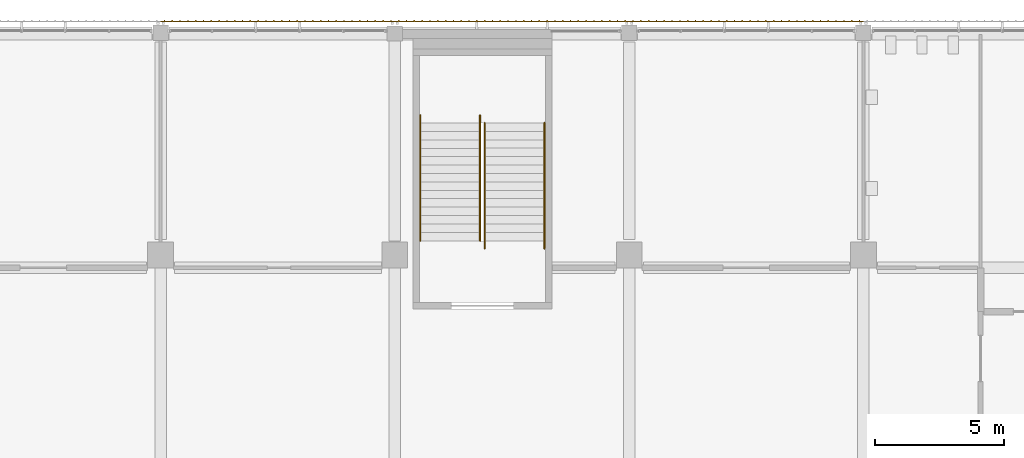
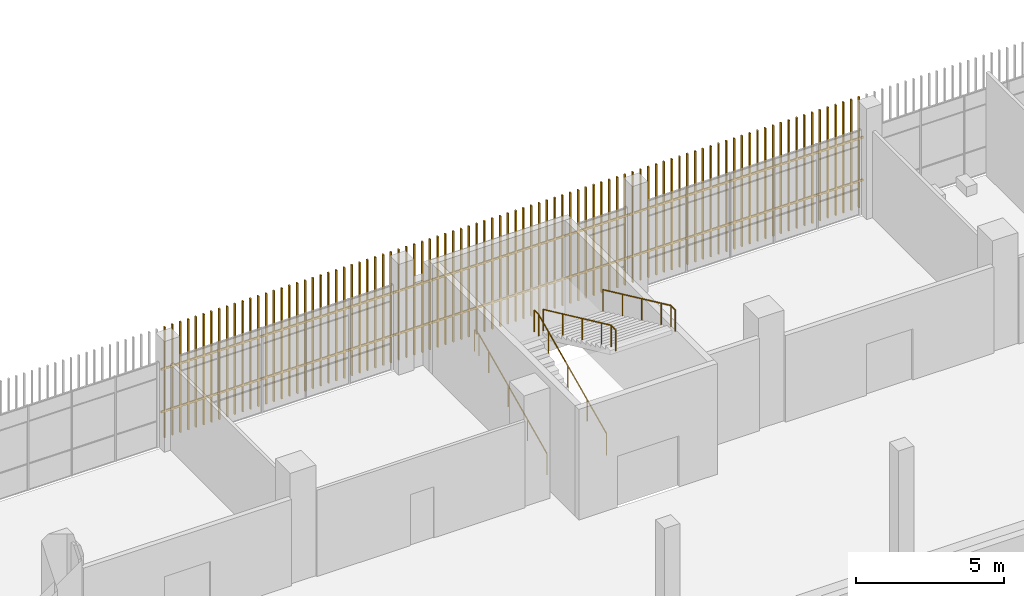
# One storey, part 118 of 126: 4 railings, 3 shading devices.
"""IFC4 building model written with IfcOpenShell, lengths in metres."""

from ifc_helpers import new_model, si_unit, direction, frame, origin, origin_2d, place, context, subcontext, project, spatial, rectangle, circle, extrude, material, type_object, element, save


model = new_model("IFC4")

# Units and contexts
model_context = context("Model", 3, precision=1e-05, world=origin(), true_north=direction((0.0, 1.0)))
body_context = subcontext(model_context, "Body", "Model", "MODEL_VIEW")
ifc_project = project(units=[si_unit("LENGTHUNIT", "METRE"), si_unit("AREAUNIT", "SQUARE_METRE"), si_unit("VOLUMEUNIT", "CUBIC_METRE"), si_unit("PLANEANGLEUNIT", "RADIAN"), si_unit("MASSUNIT", "GRAM", prefix="KILO")], contexts=[model_context])

# Site, building, storey
site_placement = place(None, origin())
site = spatial("IfcSite", under=ifc_project, at=site_placement, CompositionType="ELEMENT")
building_placement = place(site_placement, origin())
building = spatial("IfcBuilding", under=site, at=building_placement, Name="Shirokan Park Arena", CompositionType="ELEMENT")
storey_placement = place(building_placement, frame((0.0, 0.0, 6.3701171875)))
storey = spatial("IfcBuildingStorey", under=building, at=storey_placement, Name="L01", CompositionType="ELEMENT", Elevation=6.3701171875)

# Railings
ifc_material_1 = material(Name="Stainless steel", Category="steel")
railing_type = type_object("IfcRailingType", Name="Stair handrail 900", PredefinedType="HANDRAIL", material=ifc_material_1)
railing_1_placement = place(storey_placement, frame((82.889892578125, 101.14990234375, 0.151611328125)))
element("IfcRailing", 1, at=railing_1_placement, inside=storey, type_object=railing_type, Name="Handrail Entrance Stair E4.2 L01 to L02", PredefinedType="HANDRAIL", context=body_context, shape_type="SweptSolid", body=[
    extrude(circle(Radius=0.02392578125, at=origin_2d()), frame((0.0, 0.0, 0.8759765625), z_axis=(0.0, 0.907029769225, 0.421066500378), x_axis=(-1.0, 0.0, 0.0)), (0.0, 0.0, 1.0), 1.44091796875),
    extrude(circle(Radius=0.02392578125, at=origin_2d()), frame((0.0, 1.306884765625, 1.482421875), z_axis=(0.0, 0.907029769225, 0.421066500378), x_axis=(-1.0, 0.0, 0.0)), (0.0, 0.0, 1.0), 1.44091796875),
    extrude(circle(Radius=0.02392578125, at=origin_2d()), frame((0.0, 2.61376953125, 2.08935546875), z_axis=(0.0, 0.907064445915, 0.420991794405), x_axis=(-1.0, 0.0, 0.0)), (0.0, 0.0, 1.0), 1.4404296875),
    extrude(circle(Radius=0.02392578125, at=origin_2d()), frame((0.0, 3.92041015625, 2.69580078125), z_axis=(0.0, 0.906995101989, 0.421141169881), x_axis=(-1.0, 0.0, 0.0)), (0.0, 0.0, 1.0), 0.720703125),
    extrude(circle(Radius=0.02392578125, at=origin_2d()), frame((0.0, 4.573974609375, 2.9990234375), z_axis=(0.0, 1.0, 0.0), x_axis=(-1.0, 0.0, 0.0)), (0.0, 0.0, 1.0), 0.2998046875),
    extrude(circle(Radius=0.02099609375, at=origin_2d()), origin(), (0.0, 0.0, 1.0), 0.851806640625),
    extrude(circle(Radius=0.02099609375, at=origin_2d()), frame((0.0, 1.306884765625, 0.606689453125)), (0.0, 0.0, 1.0), 0.851806640625),
    extrude(circle(Radius=0.02099609375, at=origin_2d()), frame((0.0, 2.61376953125, 1.21337890625)), (0.0, 0.0, 1.0), 0.851806640625),
    extrude(circle(Radius=0.02099609375, at=origin_2d()), frame((0.0, 3.92041015625, 1.81982421875)), (0.0, 0.0, 1.0), 0.851806640625),
    extrude(circle(Radius=0.02099609375, at=origin_2d()), frame((0.0, 4.573974609375, 2.123291015625)), (0.0, 0.0, 1.0), 0.851806640625),
    extrude(circle(Radius=0.02099609375, at=origin_2d()), frame((0.0, 4.873779296875, 2.123291015625)), (0.0, 0.0, 1.0), 0.851806640625),
])
railing_2_placement = place(storey_placement, frame((85.2099609375, 101.14990234375, 0.151611328125)))
element("IfcRailing", 2, at=railing_2_placement, inside=storey, type_object=railing_type, Name="Handrail Entrance Stair E4.2 L01 to L02", PredefinedType="HANDRAIL", context=body_context, shape_type="SweptSolid", body=[
    extrude(circle(Radius=0.02392578125, at=origin_2d()), frame((0.0, 0.0, 0.8759765625), z_axis=(0.0, 0.907029769225, 0.421066500378), x_axis=(-1.0, 0.0, 0.0)), (0.0, 0.0, 1.0), 1.44091796875),
    extrude(circle(Radius=0.02392578125, at=origin_2d()), frame((0.0, 1.306884765625, 1.482421875), z_axis=(0.0, 0.907029769225, 0.421066500378), x_axis=(-1.0, 0.0, 0.0)), (0.0, 0.0, 1.0), 1.44091796875),
    extrude(circle(Radius=0.02392578125, at=origin_2d()), frame((0.0, 2.61376953125, 2.08935546875), z_axis=(0.0, 0.907064445915, 0.420991794405), x_axis=(-1.0, 0.0, 0.0)), (0.0, 0.0, 1.0), 1.4404296875),
    extrude(circle(Radius=0.02392578125, at=origin_2d()), frame((0.0, 3.92041015625, 2.69580078125), z_axis=(0.0, 0.906995101989, 0.421141169881), x_axis=(-1.0, 0.0, 0.0)), (0.0, 0.0, 1.0), 0.720703125),
    extrude(circle(Radius=0.02392578125, at=origin_2d()), frame((0.0, 4.573974609375, 2.9990234375), z_axis=(0.0, 1.0, 0.0), x_axis=(-1.0, 0.0, 0.0)), (0.0, 0.0, 1.0), 0.2998046875),
    extrude(circle(Radius=0.02099609375, at=origin_2d()), origin(), (0.0, 0.0, 1.0), 0.851806640625),
    extrude(circle(Radius=0.02099609375, at=origin_2d()), frame((0.0, 1.306884765625, 0.606689453125)), (0.0, 0.0, 1.0), 0.851806640625),
    extrude(circle(Radius=0.02099609375, at=origin_2d()), frame((0.0, 2.61376953125, 1.21337890625)), (0.0, 0.0, 1.0), 0.851806640625),
    extrude(circle(Radius=0.02099609375, at=origin_2d()), frame((0.0, 3.92041015625, 1.81982421875)), (0.0, 0.0, 1.0), 0.851806640625),
    extrude(circle(Radius=0.02099609375, at=origin_2d()), frame((0.0, 4.573974609375, 2.123291015625)), (0.0, 0.0, 1.0), 0.851806640625),
    extrude(circle(Radius=0.02099609375, at=origin_2d()), frame((0.0, 4.873779296875, 2.123291015625)), (0.0, 0.0, 1.0), 0.851806640625),
])
railing_3_placement = place(storey_placement, frame((85.389892578125, 105.723876953125, 2.426513671875)))
element("IfcRailing", 3, at=railing_3_placement, inside=storey, type_object=railing_type, Name="Handrail Entrance Stair E4.2 L01 to L02", PredefinedType="HANDRAIL", context=body_context, shape_type="SweptSolid", body=[
    extrude(circle(Radius=0.02392578125, at=origin_2d()), frame((0.0, 0.0, 0.8759765625), z_axis=(0.0, -0.907029769225, 0.421066500378), x_axis=(1.0, 0.0, 0.0)), (0.0, 0.0, 1.0), 1.44091796875),
    extrude(circle(Radius=0.02392578125, at=origin_2d()), frame((0.0, -1.306884765625, 1.482421875), z_axis=(0.0, -0.907029769225, 0.421066500378), x_axis=(1.0, 0.0, 0.0)), (0.0, 0.0, 1.0), 1.44091796875),
    extrude(circle(Radius=0.02392578125, at=origin_2d()), frame((0.0, -2.61376953125, 2.08935546875), z_axis=(0.0, -0.906999720516, 0.421131222998), x_axis=(1.0, 0.0, 0.0)), (0.0, 0.0, 1.0), 1.440673828125),
    extrude(circle(Radius=0.02392578125, at=origin_2d()), frame((0.0, -3.92041015625, 2.69580078125), z_axis=(0.0, -0.907124493983, 0.420862391306), x_axis=(1.0, 0.0, 0.0)), (0.0, 0.0, 1.0), 0.720458984375),
    extrude(circle(Radius=0.02392578125, at=origin_2d()), frame((0.0, -4.573974609375, 2.9990234375), z_axis=(0.0, -1.0, 0.0), x_axis=(1.0, 0.0, 0.0)), (0.0, 0.0, 1.0), 0.2998046875),
    extrude(circle(Radius=0.02099609375, at=origin_2d()), origin(), (0.0, 0.0, 1.0), 0.851806640625),
    extrude(circle(Radius=0.02099609375, at=origin_2d()), frame((0.0, -1.306884765625, 0.606689453125)), (0.0, 0.0, 1.0), 0.851806640625),
    extrude(circle(Radius=0.02099609375, at=origin_2d()), frame((0.0, -2.61376953125, 1.21337890625)), (0.0, 0.0, 1.0), 0.851806640625),
    extrude(circle(Radius=0.02099609375, at=origin_2d()), frame((0.0, -3.92041015625, 1.820068359375)), (0.0, 0.0, 1.0), 0.851806640625),
    extrude(circle(Radius=0.02099609375, at=origin_2d()), frame((0.0, -4.573974609375, 2.123291015625)), (0.0, 0.0, 1.0), 0.851806640625),
    extrude(circle(Radius=0.02099609375, at=origin_2d()), frame((0.0, -4.873779296875, 2.123291015625)), (0.0, 0.0, 1.0), 0.851806640625),
])
railing_4_placement = place(storey_placement, frame((87.7099609375, 105.723876953125, 2.426513671875)))
element("IfcRailing", 4, at=railing_4_placement, inside=storey, type_object=railing_type, Name="Handrail Entrance Stair E4.2 L01 to L02", PredefinedType="HANDRAIL", context=body_context, shape_type="SweptSolid", body=[
    extrude(circle(Radius=0.02392578125, at=origin_2d()), frame((0.0, 0.0, 0.8759765625), z_axis=(0.0, -0.907029769225, 0.421066500378), x_axis=(1.0, 0.0, 0.0)), (0.0, 0.0, 1.0), 1.44091796875),
    extrude(circle(Radius=0.02392578125, at=origin_2d()), frame((0.0, -1.306884765625, 1.482421875), z_axis=(0.0, -0.907029769225, 0.421066500378), x_axis=(1.0, 0.0, 0.0)), (0.0, 0.0, 1.0), 1.44091796875),
    extrude(circle(Radius=0.02392578125, at=origin_2d()), frame((0.0, -2.61376953125, 2.08935546875), z_axis=(0.0, -0.906999720516, 0.421131222998), x_axis=(1.0, 0.0, 0.0)), (0.0, 0.0, 1.0), 1.440673828125),
    extrude(circle(Radius=0.02392578125, at=origin_2d()), frame((0.0, -3.92041015625, 2.69580078125), z_axis=(0.0, -0.907124493983, 0.420862391306), x_axis=(1.0, 0.0, 0.0)), (0.0, 0.0, 1.0), 0.720458984375),
    extrude(circle(Radius=0.02392578125, at=origin_2d()), frame((0.0, -4.573974609375, 2.9990234375), z_axis=(0.0, -1.0, 0.0), x_axis=(1.0, 0.0, 0.0)), (0.0, 0.0, 1.0), 0.2998046875),
    extrude(circle(Radius=0.02099609375, at=origin_2d()), origin(), (0.0, 0.0, 1.0), 0.851806640625),
    extrude(circle(Radius=0.02099609375, at=origin_2d()), frame((0.0, -1.306884765625, 0.606689453125)), (0.0, 0.0, 1.0), 0.851806640625),
    extrude(circle(Radius=0.02099609375, at=origin_2d()), frame((0.0, -2.61376953125, 1.21337890625)), (0.0, 0.0, 1.0), 0.851806640625),
    extrude(circle(Radius=0.02099609375, at=origin_2d()), frame((0.0, -3.92041015625, 1.820068359375)), (0.0, 0.0, 1.0), 0.851806640625),
    extrude(circle(Radius=0.02099609375, at=origin_2d()), frame((0.0, -4.573974609375, 2.123291015625)), (0.0, 0.0, 1.0), 0.851806640625),
    extrude(circle(Radius=0.02099609375, at=origin_2d()), frame((0.0, -4.873779296875, 2.123291015625)), (0.0, 0.0, 1.0), 0.851806640625),
])

# Shading devices
ifc_material_2 = material(Name="Timber louvre veil (cedar)", Category="wood")
shading_device_type = type_object("IfcShadingDeviceType", Name="Timber louvre veil panel", PredefinedType="JALOUSIE", material=ifc_material_2)
shading_device_1_placement = place(storey_placement, origin())
element("IfcShadingDevice", 5, at=shading_device_1_placement, inside=storey, type_object=shading_device_type, Name="Timber louvre veil north bay 6 L01", PredefinedType="JALOUSIE", context=body_context, shape_type="SweptSolid", body=[
    extrude(rectangle(XDim=0.050048828125, YDim=0.080078125, at=origin_2d()), frame((99.9482421875, 109.68505859375, 0.0), z_axis=(0.0, 0.0, 1.0), x_axis=(-1.0, 0.0, 0.0)), (0.0, 0.0, 1.0), 4.550048828125),
    extrude(rectangle(XDim=0.050048828125, YDim=0.080078125, at=origin_2d()), frame((99.64501953125, 109.68505859375, 0.0), z_axis=(0.0, 0.0, 1.0), x_axis=(-1.0, 0.0, 0.0)), (0.0, 0.0, 1.0), 4.550048828125),
    extrude(rectangle(XDim=0.050048828125, YDim=0.080078125, at=origin_2d()), frame((99.341552734375, 109.68505859375, 0.0), z_axis=(0.0, 0.0, 1.0), x_axis=(-1.0, 0.0, 0.0)), (0.0, 0.0, 1.0), 4.550048828125),
    extrude(rectangle(XDim=0.050048828125, YDim=0.080078125, at=origin_2d()), frame((99.038330078125, 109.68505859375, 0.0), z_axis=(0.0, 0.0, 1.0), x_axis=(-1.0, 0.0, 0.0)), (0.0, 0.0, 1.0), 4.550048828125),
    extrude(rectangle(XDim=0.050048828125, YDim=0.080078125, at=origin_2d()), frame((98.735107421875, 109.68505859375, 0.0), z_axis=(0.0, 0.0, 1.0), x_axis=(-1.0, 0.0, 0.0)), (0.0, 0.0, 1.0), 4.550048828125),
    extrude(rectangle(XDim=0.050048828125, YDim=0.080078125, at=origin_2d()), frame((98.431640625, 109.68505859375, 0.0), z_axis=(0.0, 0.0, 1.0), x_axis=(-1.0, 0.0, 0.0)), (0.0, 0.0, 1.0), 4.550048828125),
    extrude(rectangle(XDim=0.050048828125, YDim=0.080078125, at=origin_2d()), frame((98.12841796875, 109.68505859375, 0.0), z_axis=(0.0, 0.0, 1.0), x_axis=(-1.0, 0.0, 0.0)), (0.0, 0.0, 1.0), 4.550048828125),
    extrude(rectangle(XDim=0.050048828125, YDim=0.080078125, at=origin_2d()), frame((97.824951171875, 109.68505859375, 0.0), z_axis=(0.0, 0.0, 1.0), x_axis=(-1.0, 0.0, 0.0)), (0.0, 0.0, 1.0), 4.550048828125),
    extrude(rectangle(XDim=0.050048828125, YDim=0.080078125, at=origin_2d()), frame((97.521728515625, 109.68505859375, 0.0), z_axis=(0.0, 0.0, 1.0), x_axis=(-1.0, 0.0, 0.0)), (0.0, 0.0, 1.0), 4.550048828125),
    extrude(rectangle(XDim=0.050048828125, YDim=0.080078125, at=origin_2d()), frame((97.21826171875, 109.68505859375, 0.0), z_axis=(0.0, 0.0, 1.0), x_axis=(-1.0, 0.0, 0.0)), (0.0, 0.0, 1.0), 4.550048828125),
    extrude(rectangle(XDim=0.050048828125, YDim=0.080078125, at=origin_2d()), frame((96.9150390625, 109.68505859375, 0.0), z_axis=(0.0, 0.0, 1.0), x_axis=(-1.0, 0.0, 0.0)), (0.0, 0.0, 1.0), 4.550048828125),
    extrude(rectangle(XDim=0.050048828125, YDim=0.080078125, at=origin_2d()), frame((96.611572265625, 109.68505859375, 0.0), z_axis=(0.0, 0.0, 1.0), x_axis=(-1.0, 0.0, 0.0)), (0.0, 0.0, 1.0), 4.550048828125),
    extrude(rectangle(XDim=0.050048828125, YDim=0.080078125, at=origin_2d()), frame((96.308349609375, 109.68505859375, 0.0), z_axis=(0.0, 0.0, 1.0), x_axis=(-1.0, 0.0, 0.0)), (0.0, 0.0, 1.0), 4.550048828125),
    extrude(rectangle(XDim=0.050048828125, YDim=0.080078125, at=origin_2d()), frame((96.0048828125, 109.68505859375, 0.0), z_axis=(0.0, 0.0, 1.0), x_axis=(-1.0, 0.0, 0.0)), (0.0, 0.0, 1.0), 4.550048828125),
    extrude(rectangle(XDim=0.050048828125, YDim=0.080078125, at=origin_2d()), frame((95.70166015625, 109.68505859375, 0.0), z_axis=(0.0, 0.0, 1.0), x_axis=(-1.0, 0.0, 0.0)), (0.0, 0.0, 1.0), 4.550048828125),
    extrude(rectangle(XDim=0.050048828125, YDim=0.080078125, at=origin_2d()), frame((95.3984375, 109.68505859375, 0.0), z_axis=(0.0, 0.0, 1.0), x_axis=(-1.0, 0.0, 0.0)), (0.0, 0.0, 1.0), 4.550048828125),
    extrude(rectangle(XDim=0.050048828125, YDim=0.080078125, at=origin_2d()), frame((95.094970703125, 109.68505859375, 0.0), z_axis=(0.0, 0.0, 1.0), x_axis=(-1.0, 0.0, 0.0)), (0.0, 0.0, 1.0), 4.550048828125),
    extrude(rectangle(XDim=0.050048828125, YDim=0.080078125, at=origin_2d()), frame((94.791748046875, 109.68505859375, 0.0), z_axis=(0.0, 0.0, 1.0), x_axis=(-1.0, 0.0, 0.0)), (0.0, 0.0, 1.0), 4.550048828125),
    extrude(rectangle(XDim=0.050048828125, YDim=0.080078125, at=origin_2d()), frame((94.48828125, 109.68505859375, 0.0), z_axis=(0.0, 0.0, 1.0), x_axis=(-1.0, 0.0, 0.0)), (0.0, 0.0, 1.0), 4.550048828125),
    extrude(rectangle(XDim=0.050048828125, YDim=0.080078125, at=origin_2d()), frame((94.18505859375, 109.68505859375, 0.0), z_axis=(0.0, 0.0, 1.0), x_axis=(-1.0, 0.0, 0.0)), (0.0, 0.0, 1.0), 4.550048828125),
    extrude(rectangle(XDim=0.050048828125, YDim=0.080078125, at=origin_2d()), frame((93.881591796875, 109.68505859375, 0.0), z_axis=(0.0, 0.0, 1.0), x_axis=(-1.0, 0.0, 0.0)), (0.0, 0.0, 1.0), 4.550048828125),
    extrude(rectangle(XDim=0.050048828125, YDim=0.080078125, at=origin_2d()), frame((93.578369140625, 109.68505859375, 0.0), z_axis=(0.0, 0.0, 1.0), x_axis=(-1.0, 0.0, 0.0)), (0.0, 0.0, 1.0), 4.550048828125),
    extrude(rectangle(XDim=0.050048828125, YDim=0.080078125, at=origin_2d()), frame((93.27490234375, 109.68505859375, 0.0), z_axis=(0.0, 0.0, 1.0), x_axis=(-1.0, 0.0, 0.0)), (0.0, 0.0, 1.0), 4.550048828125),
    extrude(rectangle(XDim=0.050048828125, YDim=0.080078125, at=origin_2d()), frame((92.9716796875, 109.68505859375, 0.0), z_axis=(0.0, 0.0, 1.0), x_axis=(-1.0, 0.0, 0.0)), (0.0, 0.0, 1.0), 4.550048828125),
    extrude(rectangle(XDim=0.050048828125, YDim=0.080078125, at=origin_2d()), frame((92.668212890625, 109.68505859375, 0.0), z_axis=(0.0, 0.0, 1.0), x_axis=(-1.0, 0.0, 0.0)), (0.0, 0.0, 1.0), 4.550048828125),
    extrude(rectangle(XDim=0.050048828125, YDim=0.080078125, at=origin_2d()), frame((92.364990234375, 109.68505859375, 0.0), z_axis=(0.0, 0.0, 1.0), x_axis=(-1.0, 0.0, 0.0)), (0.0, 0.0, 1.0), 4.550048828125),
    extrude(rectangle(XDim=0.050048828125, YDim=0.080078125, at=origin_2d()), frame((92.061767578125, 109.68505859375, 0.0), z_axis=(0.0, 0.0, 1.0), x_axis=(-1.0, 0.0, 0.0)), (0.0, 0.0, 1.0), 4.550048828125),
    extrude(rectangle(XDim=0.050048828125, YDim=0.080078125, at=origin_2d()), frame((91.75830078125, 109.68505859375, 0.0), z_axis=(0.0, 0.0, 1.0), x_axis=(-1.0, 0.0, 0.0)), (0.0, 0.0, 1.0), 4.550048828125),
    extrude(rectangle(XDim=0.050048828125, YDim=0.080078125, at=origin_2d()), frame((91.455078125, 109.68505859375, 0.0), z_axis=(0.0, 0.0, 1.0), x_axis=(-1.0, 0.0, 0.0)), (0.0, 0.0, 1.0), 4.550048828125),
    extrude(rectangle(XDim=0.050048828125, YDim=0.080078125, at=origin_2d()), frame((91.151611328125, 109.68505859375, 0.0), z_axis=(0.0, 0.0, 1.0), x_axis=(-1.0, 0.0, 0.0)), (0.0, 0.0, 1.0), 4.550048828125),
    extrude(rectangle(XDim=9.10009765625, YDim=0.050048828125, at=origin_2d()), frame((95.550048828125, 109.669921875, 1.059814453125), z_axis=(0.0, 0.0, 1.0), x_axis=(-1.0, 0.0, 0.0)), (0.0, 0.0, 1.0), 0.080078125),
    extrude(rectangle(XDim=9.10009765625, YDim=0.050048828125, at=origin_2d()), frame((95.550048828125, 109.669921875, 2.809814453125), z_axis=(0.0, 0.0, 1.0), x_axis=(-1.0, 0.0, 0.0)), (0.0, 0.0, 1.0), 0.080078125),
])
shading_device_2_placement = place(storey_placement, origin())
element("IfcShadingDevice", 6, at=shading_device_2_placement, inside=storey, type_object=shading_device_type, Name="Timber louvre veil north bay 7 L01", PredefinedType="JALOUSIE", context=body_context, shape_type="SweptSolid", body=[
    extrude(rectangle(XDim=0.050048828125, YDim=0.080078125, at=origin_2d()), frame((90.848388671875, 109.68505859375, 0.0), z_axis=(0.0, 0.0, 1.0), x_axis=(-1.0, 0.0, 0.0)), (0.0, 0.0, 1.0), 4.550048828125),
    extrude(rectangle(XDim=0.050048828125, YDim=0.080078125, at=origin_2d()), frame((90.544921875, 109.68505859375, 0.0), z_axis=(0.0, 0.0, 1.0), x_axis=(-1.0, 0.0, 0.0)), (0.0, 0.0, 1.0), 4.550048828125),
    extrude(rectangle(XDim=0.050048828125, YDim=0.080078125, at=origin_2d()), frame((90.24169921875, 109.68505859375, 0.0), z_axis=(0.0, 0.0, 1.0), x_axis=(-1.0, 0.0, 0.0)), (0.0, 0.0, 1.0), 4.550048828125),
    extrude(rectangle(XDim=0.050048828125, YDim=0.080078125, at=origin_2d()), frame((89.938232421875, 109.68505859375, 0.0), z_axis=(0.0, 0.0, 1.0), x_axis=(-1.0, 0.0, 0.0)), (0.0, 0.0, 1.0), 4.550048828125),
    extrude(rectangle(XDim=0.050048828125, YDim=0.080078125, at=origin_2d()), frame((89.635009765625, 109.68505859375, 0.0), z_axis=(0.0, 0.0, 1.0), x_axis=(-1.0, 0.0, 0.0)), (0.0, 0.0, 1.0), 4.550048828125),
    extrude(rectangle(XDim=0.050048828125, YDim=0.080078125, at=origin_2d()), frame((89.331787109375, 109.68505859375, 0.0), z_axis=(0.0, 0.0, 1.0), x_axis=(-1.0, 0.0, 0.0)), (0.0, 0.0, 1.0), 4.550048828125),
    extrude(rectangle(XDim=0.050048828125, YDim=0.080078125, at=origin_2d()), frame((89.0283203125, 109.68505859375, 0.0), z_axis=(0.0, 0.0, 1.0), x_axis=(-1.0, 0.0, 0.0)), (0.0, 0.0, 1.0), 4.550048828125),
    extrude(rectangle(XDim=0.050048828125, YDim=0.080078125, at=origin_2d()), frame((88.72509765625, 109.68505859375, 0.0), z_axis=(0.0, 0.0, 1.0), x_axis=(-1.0, 0.0, 0.0)), (0.0, 0.0, 1.0), 4.550048828125),
    extrude(rectangle(XDim=0.050048828125, YDim=0.080078125, at=origin_2d()), frame((88.421630859375, 109.68505859375, 0.0), z_axis=(0.0, 0.0, 1.0), x_axis=(-1.0, 0.0, 0.0)), (0.0, 0.0, 1.0), 4.550048828125),
    extrude(rectangle(XDim=0.050048828125, YDim=0.080078125, at=origin_2d()), frame((88.118408203125, 109.68505859375, 0.0), z_axis=(0.0, 0.0, 1.0), x_axis=(-1.0, 0.0, 0.0)), (0.0, 0.0, 1.0), 4.550048828125),
    extrude(rectangle(XDim=0.050048828125, YDim=0.080078125, at=origin_2d()), frame((87.81494140625, 109.68505859375, 0.0), z_axis=(0.0, 0.0, 1.0), x_axis=(-1.0, 0.0, 0.0)), (0.0, 0.0, 1.0), 4.550048828125),
    extrude(rectangle(XDim=0.050048828125, YDim=0.080078125, at=origin_2d()), frame((87.51171875, 109.68505859375, 0.0), z_axis=(0.0, 0.0, 1.0), x_axis=(-1.0, 0.0, 0.0)), (0.0, 0.0, 1.0), 4.550048828125),
    extrude(rectangle(XDim=0.050048828125, YDim=0.080078125, at=origin_2d()), frame((87.208251953125, 109.68505859375, 0.0), z_axis=(0.0, 0.0, 1.0), x_axis=(-1.0, 0.0, 0.0)), (0.0, 0.0, 1.0), 4.550048828125),
    extrude(rectangle(XDim=0.050048828125, YDim=0.080078125, at=origin_2d()), frame((86.905029296875, 109.68505859375, 0.0), z_axis=(0.0, 0.0, 1.0), x_axis=(-1.0, 0.0, 0.0)), (0.0, 0.0, 1.0), 4.550048828125),
    extrude(rectangle(XDim=0.050048828125, YDim=0.080078125, at=origin_2d()), frame((86.6015625, 109.68505859375, 0.0), z_axis=(0.0, 0.0, 1.0), x_axis=(-1.0, 0.0, 0.0)), (0.0, 0.0, 1.0), 4.550048828125),
    extrude(rectangle(XDim=0.050048828125, YDim=0.080078125, at=origin_2d()), frame((86.29833984375, 109.68505859375, 0.0), z_axis=(0.0, 0.0, 1.0), x_axis=(-1.0, 0.0, 0.0)), (0.0, 0.0, 1.0), 4.550048828125),
    extrude(rectangle(XDim=0.050048828125, YDim=0.080078125, at=origin_2d()), frame((85.9951171875, 109.68505859375, 0.0), z_axis=(0.0, 0.0, 1.0), x_axis=(-1.0, 0.0, 0.0)), (0.0, 0.0, 1.0), 4.550048828125),
    extrude(rectangle(XDim=0.050048828125, YDim=0.080078125, at=origin_2d()), frame((85.691650390625, 109.68505859375, 0.0), z_axis=(0.0, 0.0, 1.0), x_axis=(-1.0, 0.0, 0.0)), (0.0, 0.0, 1.0), 4.550048828125),
    extrude(rectangle(XDim=0.050048828125, YDim=0.080078125, at=origin_2d()), frame((85.388427734375, 109.68505859375, 0.0), z_axis=(0.0, 0.0, 1.0), x_axis=(-1.0, 0.0, 0.0)), (0.0, 0.0, 1.0), 4.550048828125),
    extrude(rectangle(XDim=0.050048828125, YDim=0.080078125, at=origin_2d()), frame((85.0849609375, 109.68505859375, 0.0), z_axis=(0.0, 0.0, 1.0), x_axis=(-1.0, 0.0, 0.0)), (0.0, 0.0, 1.0), 4.550048828125),
    extrude(rectangle(XDim=0.050048828125, YDim=0.080078125, at=origin_2d()), frame((84.78173828125, 109.68505859375, 0.0), z_axis=(0.0, 0.0, 1.0), x_axis=(-1.0, 0.0, 0.0)), (0.0, 0.0, 1.0), 4.550048828125),
    extrude(rectangle(XDim=0.050048828125, YDim=0.080078125, at=origin_2d()), frame((84.478271484375, 109.68505859375, 0.0), z_axis=(0.0, 0.0, 1.0), x_axis=(-1.0, 0.0, 0.0)), (0.0, 0.0, 1.0), 4.550048828125),
    extrude(rectangle(XDim=0.050048828125, YDim=0.080078125, at=origin_2d()), frame((84.175048828125, 109.68505859375, 0.0), z_axis=(0.0, 0.0, 1.0), x_axis=(-1.0, 0.0, 0.0)), (0.0, 0.0, 1.0), 4.550048828125),
    extrude(rectangle(XDim=0.050048828125, YDim=0.080078125, at=origin_2d()), frame((83.87158203125, 109.68505859375, 0.0), z_axis=(0.0, 0.0, 1.0), x_axis=(-1.0, 0.0, 0.0)), (0.0, 0.0, 1.0), 4.550048828125),
    extrude(rectangle(XDim=0.050048828125, YDim=0.080078125, at=origin_2d()), frame((83.568359375, 109.68505859375, 0.0), z_axis=(0.0, 0.0, 1.0), x_axis=(-1.0, 0.0, 0.0)), (0.0, 0.0, 1.0), 4.550048828125),
    extrude(rectangle(XDim=0.050048828125, YDim=0.080078125, at=origin_2d()), frame((83.264892578125, 109.68505859375, 0.0), z_axis=(0.0, 0.0, 1.0), x_axis=(-1.0, 0.0, 0.0)), (0.0, 0.0, 1.0), 4.550048828125),
    extrude(rectangle(XDim=0.050048828125, YDim=0.080078125, at=origin_2d()), frame((82.961669921875, 109.68505859375, 0.0), z_axis=(0.0, 0.0, 1.0), x_axis=(-1.0, 0.0, 0.0)), (0.0, 0.0, 1.0), 4.550048828125),
    extrude(rectangle(XDim=0.050048828125, YDim=0.080078125, at=origin_2d()), frame((82.658447265625, 109.68505859375, 0.0), z_axis=(0.0, 0.0, 1.0), x_axis=(-1.0, 0.0, 0.0)), (0.0, 0.0, 1.0), 4.550048828125),
    extrude(rectangle(XDim=0.050048828125, YDim=0.080078125, at=origin_2d()), frame((82.35498046875, 109.68505859375, 0.0), z_axis=(0.0, 0.0, 1.0), x_axis=(-1.0, 0.0, 0.0)), (0.0, 0.0, 1.0), 4.550048828125),
    extrude(rectangle(XDim=0.050048828125, YDim=0.080078125, at=origin_2d()), frame((82.0517578125, 109.68505859375, 0.0), z_axis=(0.0, 0.0, 1.0), x_axis=(-1.0, 0.0, 0.0)), (0.0, 0.0, 1.0), 4.550048828125),
    extrude(rectangle(XDim=9.10009765625, YDim=0.050048828125, at=origin_2d()), frame((86.449951171875, 109.669921875, 1.059814453125), z_axis=(0.0, 0.0, 1.0), x_axis=(-1.0, 0.0, 0.0)), (0.0, 0.0, 1.0), 0.080078125),
    extrude(rectangle(XDim=9.10009765625, YDim=0.050048828125, at=origin_2d()), frame((86.449951171875, 109.669921875, 2.809814453125), z_axis=(0.0, 0.0, 1.0), x_axis=(-1.0, 0.0, 0.0)), (0.0, 0.0, 1.0), 0.080078125),
])
shading_device_3_placement = place(storey_placement, origin())
element("IfcShadingDevice", 7, at=shading_device_3_placement, inside=storey, type_object=shading_device_type, Name="Timber louvre veil north bay 8 L01", PredefinedType="JALOUSIE", context=body_context, shape_type="SweptSolid", body=[
    extrude(rectangle(XDim=0.050048828125, YDim=0.080078125, at=origin_2d()), frame((81.748291015625, 109.68505859375, 0.0), z_axis=(0.0, 0.0, 1.0), x_axis=(-1.0, 0.0, 0.0)), (0.0, 0.0, 1.0), 4.550048828125),
    extrude(rectangle(XDim=0.050048828125, YDim=0.080078125, at=origin_2d()), frame((81.445068359375, 109.68505859375, 0.0), z_axis=(0.0, 0.0, 1.0), x_axis=(-1.0, 0.0, 0.0)), (0.0, 0.0, 1.0), 4.550048828125),
    extrude(rectangle(XDim=0.050048828125, YDim=0.080078125, at=origin_2d()), frame((81.1416015625, 109.68505859375, 0.0), z_axis=(0.0, 0.0, 1.0), x_axis=(-1.0, 0.0, 0.0)), (0.0, 0.0, 1.0), 4.550048828125),
    extrude(rectangle(XDim=0.050048828125, YDim=0.080078125, at=origin_2d()), frame((80.83837890625, 109.68505859375, 0.0), z_axis=(0.0, 0.0, 1.0), x_axis=(-1.0, 0.0, 0.0)), (0.0, 0.0, 1.0), 4.550048828125),
    extrude(rectangle(XDim=0.050048828125, YDim=0.080078125, at=origin_2d()), frame((80.534912109375, 109.68505859375, 0.0), z_axis=(0.0, 0.0, 1.0), x_axis=(-1.0, 0.0, 0.0)), (0.0, 0.0, 1.0), 4.550048828125),
    extrude(rectangle(XDim=0.050048828125, YDim=0.080078125, at=origin_2d()), frame((80.231689453125, 109.68505859375, 0.0), z_axis=(0.0, 0.0, 1.0), x_axis=(-1.0, 0.0, 0.0)), (0.0, 0.0, 1.0), 4.550048828125),
    extrude(rectangle(XDim=0.050048828125, YDim=0.080078125, at=origin_2d()), frame((79.92822265625, 109.68505859375, 0.0), z_axis=(0.0, 0.0, 1.0), x_axis=(-1.0, 0.0, 0.0)), (0.0, 0.0, 1.0), 4.550048828125),
    extrude(rectangle(XDim=0.050048828125, YDim=0.080078125, at=origin_2d()), frame((79.625, 109.68505859375, 0.0), z_axis=(0.0, 0.0, 1.0), x_axis=(-1.0, 0.0, 0.0)), (0.0, 0.0, 1.0), 4.550048828125),
    extrude(rectangle(XDim=0.050048828125, YDim=0.080078125, at=origin_2d()), frame((79.32177734375, 109.68505859375, 0.0), z_axis=(0.0, 0.0, 1.0), x_axis=(-1.0, 0.0, 0.0)), (0.0, 0.0, 1.0), 4.550048828125),
    extrude(rectangle(XDim=0.050048828125, YDim=0.080078125, at=origin_2d()), frame((79.018310546875, 109.68505859375, 0.0), z_axis=(0.0, 0.0, 1.0), x_axis=(-1.0, 0.0, 0.0)), (0.0, 0.0, 1.0), 4.550048828125),
    extrude(rectangle(XDim=0.050048828125, YDim=0.080078125, at=origin_2d()), frame((78.715087890625, 109.68505859375, 0.0), z_axis=(0.0, 0.0, 1.0), x_axis=(-1.0, 0.0, 0.0)), (0.0, 0.0, 1.0), 4.550048828125),
    extrude(rectangle(XDim=0.050048828125, YDim=0.080078125, at=origin_2d()), frame((78.41162109375, 109.68505859375, 0.0), z_axis=(0.0, 0.0, 1.0), x_axis=(-1.0, 0.0, 0.0)), (0.0, 0.0, 1.0), 4.550048828125),
    extrude(rectangle(XDim=0.050048828125, YDim=0.080078125, at=origin_2d()), frame((78.1083984375, 109.68505859375, 0.0), z_axis=(0.0, 0.0, 1.0), x_axis=(-1.0, 0.0, 0.0)), (0.0, 0.0, 1.0), 4.550048828125),
    extrude(rectangle(XDim=0.050048828125, YDim=0.080078125, at=origin_2d()), frame((77.804931640625, 109.68505859375, 0.0), z_axis=(0.0, 0.0, 1.0), x_axis=(-1.0, 0.0, 0.0)), (0.0, 0.0, 1.0), 4.550048828125),
    extrude(rectangle(XDim=0.050048828125, YDim=0.080078125, at=origin_2d()), frame((77.501708984375, 109.68505859375, 0.0), z_axis=(0.0, 0.0, 1.0), x_axis=(-1.0, 0.0, 0.0)), (0.0, 0.0, 1.0), 4.550048828125),
    extrude(rectangle(XDim=0.050048828125, YDim=0.080078125, at=origin_2d()), frame((77.1982421875, 109.68505859375, 0.0), z_axis=(0.0, 0.0, 1.0), x_axis=(-1.0, 0.0, 0.0)), (0.0, 0.0, 1.0), 4.550048828125),
    extrude(rectangle(XDim=0.050048828125, YDim=0.080078125, at=origin_2d()), frame((76.89501953125, 109.68505859375, 0.0), z_axis=(0.0, 0.0, 1.0), x_axis=(-1.0, 0.0, 0.0)), (0.0, 0.0, 1.0), 4.550048828125),
    extrude(rectangle(XDim=0.050048828125, YDim=0.080078125, at=origin_2d()), frame((76.591552734375, 109.68505859375, 0.0), z_axis=(0.0, 0.0, 1.0), x_axis=(-1.0, 0.0, 0.0)), (0.0, 0.0, 1.0), 4.550048828125),
    extrude(rectangle(XDim=0.050048828125, YDim=0.080078125, at=origin_2d()), frame((76.288330078125, 109.68505859375, 0.0), z_axis=(0.0, 0.0, 1.0), x_axis=(-1.0, 0.0, 0.0)), (0.0, 0.0, 1.0), 4.550048828125),
    extrude(rectangle(XDim=0.050048828125, YDim=0.080078125, at=origin_2d()), frame((75.985107421875, 109.68505859375, 0.0), z_axis=(0.0, 0.0, 1.0), x_axis=(-1.0, 0.0, 0.0)), (0.0, 0.0, 1.0), 4.550048828125),
    extrude(rectangle(XDim=0.050048828125, YDim=0.080078125, at=origin_2d()), frame((75.681640625, 109.68505859375, 0.0), z_axis=(0.0, 0.0, 1.0), x_axis=(-1.0, 0.0, 0.0)), (0.0, 0.0, 1.0), 4.550048828125),
    extrude(rectangle(XDim=0.050048828125, YDim=0.080078125, at=origin_2d()), frame((75.37841796875, 109.68505859375, 0.0), z_axis=(0.0, 0.0, 1.0), x_axis=(-1.0, 0.0, 0.0)), (0.0, 0.0, 1.0), 4.550048828125),
    extrude(rectangle(XDim=0.050048828125, YDim=0.080078125, at=origin_2d()), frame((75.074951171875, 109.68505859375, 0.0), z_axis=(0.0, 0.0, 1.0), x_axis=(-1.0, 0.0, 0.0)), (0.0, 0.0, 1.0), 4.550048828125),
    extrude(rectangle(XDim=0.050048828125, YDim=0.080078125, at=origin_2d()), frame((74.771728515625, 109.68505859375, 0.0), z_axis=(0.0, 0.0, 1.0), x_axis=(-1.0, 0.0, 0.0)), (0.0, 0.0, 1.0), 4.550048828125),
    extrude(rectangle(XDim=0.050048828125, YDim=0.080078125, at=origin_2d()), frame((74.46826171875, 109.68505859375, 0.0), z_axis=(0.0, 0.0, 1.0), x_axis=(-1.0, 0.0, 0.0)), (0.0, 0.0, 1.0), 4.550048828125),
    extrude(rectangle(XDim=0.050048828125, YDim=0.080078125, at=origin_2d()), frame((74.1650390625, 109.68505859375, 0.0), z_axis=(0.0, 0.0, 1.0), x_axis=(-1.0, 0.0, 0.0)), (0.0, 0.0, 1.0), 4.550048828125),
    extrude(rectangle(XDim=0.050048828125, YDim=0.080078125, at=origin_2d()), frame((73.861572265625, 109.68505859375, 0.0), z_axis=(0.0, 0.0, 1.0), x_axis=(-1.0, 0.0, 0.0)), (0.0, 0.0, 1.0), 4.550048828125),
    extrude(rectangle(XDim=0.050048828125, YDim=0.080078125, at=origin_2d()), frame((73.558349609375, 109.68505859375, 0.0), z_axis=(0.0, 0.0, 1.0), x_axis=(-1.0, 0.0, 0.0)), (0.0, 0.0, 1.0), 4.550048828125),
    extrude(rectangle(XDim=0.050048828125, YDim=0.080078125, at=origin_2d()), frame((73.2548828125, 109.68505859375, 0.0), z_axis=(0.0, 0.0, 1.0), x_axis=(-1.0, 0.0, 0.0)), (0.0, 0.0, 1.0), 4.550048828125),
    extrude(rectangle(XDim=0.050048828125, YDim=0.080078125, at=origin_2d()), frame((72.95166015625, 109.68505859375, 0.0), z_axis=(0.0, 0.0, 1.0), x_axis=(-1.0, 0.0, 0.0)), (0.0, 0.0, 1.0), 4.550048828125),
    extrude(rectangle(XDim=9.10009765625, YDim=0.050048828125, at=origin_2d()), frame((77.35009765625, 109.669921875, 1.059814453125), z_axis=(0.0, 0.0, 1.0), x_axis=(-1.0, 0.0, 0.0)), (0.0, 0.0, 1.0), 0.080078125),
    extrude(rectangle(XDim=9.10009765625, YDim=0.050048828125, at=origin_2d()), frame((77.35009765625, 109.669921875, 2.809814453125), z_axis=(0.0, 0.0, 1.0), x_axis=(-1.0, 0.0, 0.0)), (0.0, 0.0, 1.0), 0.080078125),
])

save(model, "model.ifc")
